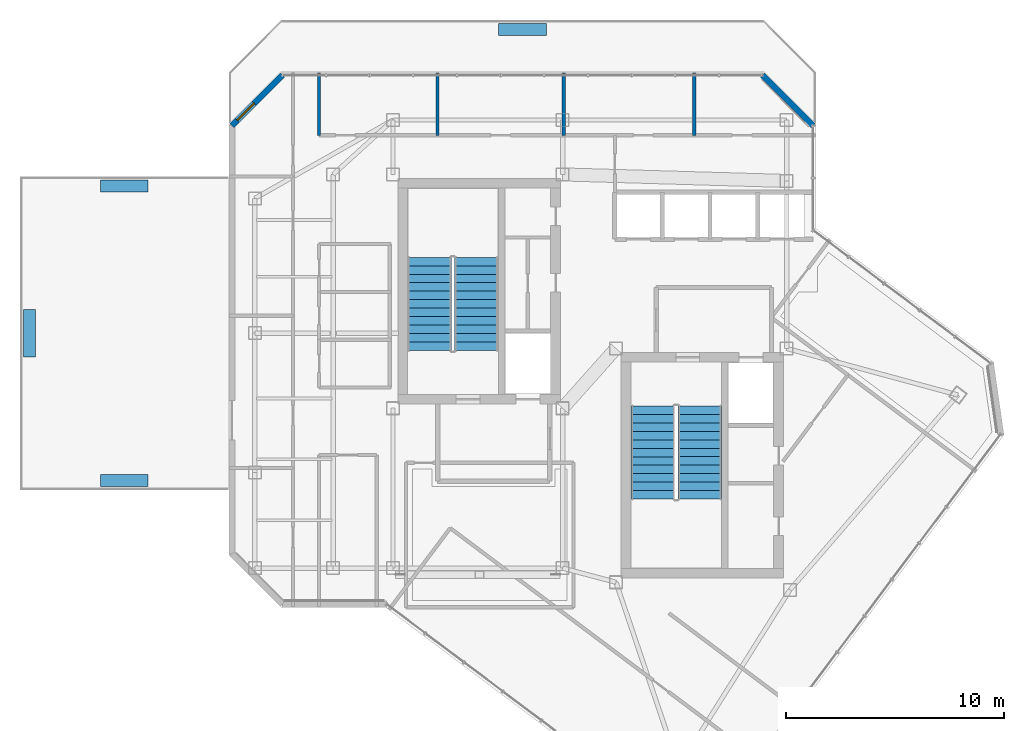
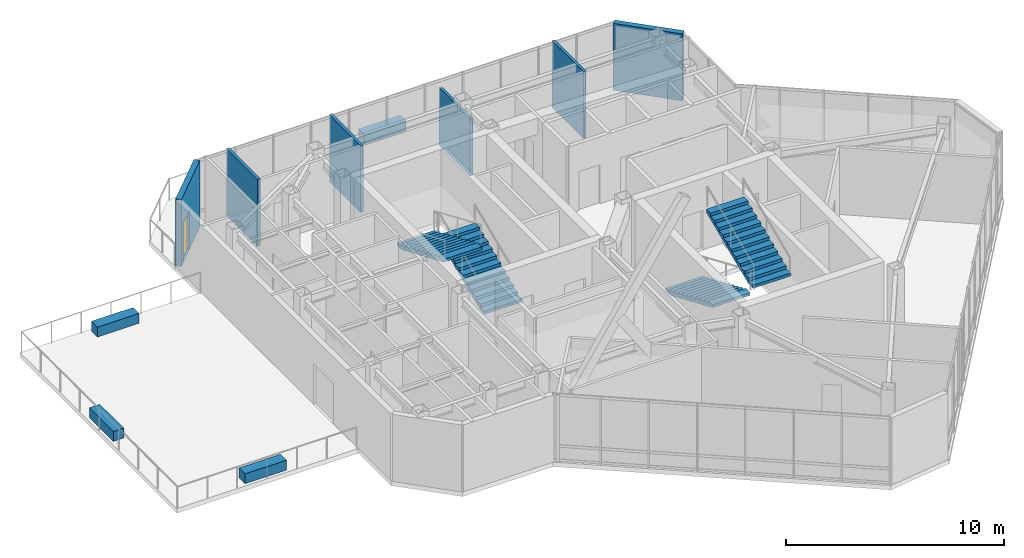
# One storey, part 18 of 21: 6 walls, 4 discrete accessories, 4 stair flights, 1 door, 1 opening, 2 elements without a shape of their own.
"""IFC4 building model written with IfcOpenShell, lengths in metres."""

from ifc_helpers import new_model, si_unit, direction, frame, frame_2d, origin, origin_2d, place, context, subcontext, project, spatial, polyline, rectangle, outline, extrude, material, layer, layer_set, type_object, element, fill, aggregate, save


model = new_model("IFC4")

# Units and contexts
model_context = context("Model", 3, precision=1e-05, world=origin(), true_north=direction((0.0, 1.0)))
body_context = subcontext(model_context, "Body", "Model", "MODEL_VIEW")
ifc_project = project(units=[si_unit("LENGTHUNIT", "METRE"), si_unit("AREAUNIT", "SQUARE_METRE"), si_unit("VOLUMEUNIT", "CUBIC_METRE"), si_unit("PLANEANGLEUNIT", "RADIAN"), si_unit("MASSUNIT", "GRAM", prefix="KILO")], contexts=[model_context])

# Site, building, storey
site_placement = place(None, origin())
site = spatial("IfcSite", under=ifc_project, at=site_placement, CompositionType="ELEMENT")
building_placement = place(site_placement, origin())
building = spatial("IfcBuilding", under=site, at=building_placement, Name="Hatsunagi Terrace Concourse", CompositionType="ELEMENT")
storey_placement = place(building_placement, frame((0.0, 0.0, 265.949951171875)))
storey = spatial("IfcBuildingStorey", under=building, at=storey_placement, Name="L70", CompositionType="ELEMENT", Elevation=265.949951171875)

# Walls
ifc_material_1 = material(Name="Acoustic mineral board", Category="gypsum")
ifc_layer_1 = layer(ifc_material_1, 0.14990234375)
ifc_layer_set_1 = layer_set([ifc_layer_1], Name="PartitionWall_EI60_150")
wall_type_1 = type_object("IfcWallType", Name="PartitionWall_EI60_150", PredefinedType="PARTITIONING", material=ifc_layer_set_1)
for number, where, z_axis, x_axis, name in (
    (1, (22.14990234375, 45.10009765625, 0.0), (0.0, 0.0, 1.0), (0.0, 1.0, 0.0), "Interior Partition IW-L70-031"),
    (2, (27.60009765625, 45.10009765625, 0.0), (0.0, 0.0, 1.0), (0.0, 1.0, 0.0), "Interior Partition IW-L70-032"),
):
    element("IfcWall", number, at=place(storey_placement, frame(where, z_axis=z_axis, x_axis=x_axis)), inside=storey, type_object=wall_type_1, Name=name, PredefinedType="PARTITIONING", context=body_context, shape_type="SweptSolid", body=[
        extrude(rectangle(XDim=2.85986328125, YDim=0.14990234375, at=frame_2d((1.429931640625, 0.0))), origin(), (0.0, 0.0, 1.0), 3.75),
    ])
wall_1_placement = place(storey_placement, frame((33.39990234375, 45.10009765625, 0.0), z_axis=(0.0, 0.0, 1.0), x_axis=(0.0, 1.0, 0.0)))
element("IfcWall", 3, at=wall_1_placement, inside=storey, type_object=wall_type_1, Name="Interior Partition IW-L70-034", PredefinedType="PARTITIONING", context=body_context, shape_type="SweptSolid", body=[
    extrude(rectangle(XDim=2.85986328125, YDim=0.14990234375, at=frame_2d((1.429931640625, 0.0))), origin(), (0.0, 0.0, 1.0), 3.2451171875),
])
wall_2_placement = place(storey_placement, frame((39.39990234375, 45.10009765625, 0.0), z_axis=(0.0, 0.0, 1.0), x_axis=(0.0, 1.0, 0.0)))
element("IfcWall", 4, at=wall_2_placement, inside=storey, type_object=wall_type_1, Name="Interior Partition IW-L70-036", PredefinedType="PARTITIONING", context=body_context, shape_type="SweptSolid", body=[
    extrude(rectangle(XDim=2.85986328125, YDim=0.14990234375, at=frame_2d((1.429931640625, 0.0))), origin(), (0.0, 0.0, 1.0), 3.75),
])

# Wall, opening, door
ifc_material_2 = material(Name="Autoclaved Lightweight Concrete and Terracotta Cladding", Category="masonry")
ifc_layer_2 = layer(ifc_material_2, 0.280029296875)
ifc_layer_set_2 = layer_set([ifc_layer_2], Name="TerracottaSpandrelWall_280")
wall_type_2 = type_object("IfcWallType", Name="TerracottaSpandrelWall_280", PredefinedType="STANDARD", material=ifc_layer_set_2)
wall_3_placement = place(storey_placement, frame((18.139892578125, 45.5419921875, 0.0), z_axis=(0.0, 0.0, 1.0), x_axis=(0.707106781187, 0.707106781187, 0.0)))
wall_3 = element("IfcWall", 5, at=wall_3_placement, inside=storey, type_object=wall_type_2, Name="Exterior Spandrel Wall EW-L70-09", PredefinedType="STANDARD", context=body_context, shape_type="SweptSolid", body=[
    extrude(rectangle(XDim=3.2783203125, YDim=0.280029296875, at=frame_2d((1.63916015625, 0.0))), origin(), (0.0, 0.0, 1.0), 3.75),
])
opening_placement = place(wall_3_placement, frame((0.35009765625, 0.0, 0.0)))
opening = element("IfcOpeningElement", 6, at=opening_placement, cuts=wall_3, Name="Opening BD-01", PredefinedType="OPENING", context=body_context, shape_type="SweptSolid", body=[
    extrude(rectangle(XDim=1.10009765625, YDim=2.199951171875, at=frame_2d((0.550048828125, 1.10009765625))), frame((0.0, 0.14990234375, 0.0), z_axis=(0.0, -1.0, 0.0), x_axis=(1.0, 0.0, 0.0)), (0.0, 0.0, 1.0), 0.300048828125),
])
ifc_material_3 = material(Name="Galvanised Steel and Laminated Safety Glass", Category="steel")
door_type = type_object("IfcDoorType", Name="BalconyTerraceAccessDoor_1100x2200", OperationType="SINGLE_SWING_LEFT", PredefinedType="DOOR", material=ifc_material_3)
door_placement = place(opening_placement, origin())
door = element("IfcDoor", 7, at=door_placement, inside=storey, type_object=door_type, Name="Sky Garden Terrace Door TER-L70-2", OperationType="SINGLE_SWING_LEFT", OverallHeight=2.199951171875, OverallWidth=1.10009765625, PredefinedType="DOOR", context=body_context, shape_type="SweptSolid", body=[
    extrude(rectangle(XDim=1.10009765625, YDim=2.199951171875, at=frame_2d((0.550048828125, 1.10009765625))), frame((0.0, 0.02490234375, 0.0), z_axis=(0.0, -1.0, 0.0), x_axis=(1.0, 0.0, 0.0)), (0.0, 0.0, 1.0), 0.050048828125),
])
fill(opening, door)

# Wall
wall_4_placement = place(storey_placement, frame((42.5419921875, 47.860107421875, 0.0), z_axis=(0.0, 0.0, 1.0), x_axis=(0.707106781187, -0.707106781187, 0.0)))
element("IfcWall", 8, at=wall_4_placement, inside=storey, type_object=wall_type_2, Name="Exterior Spandrel Wall EW-L70-11", PredefinedType="STANDARD", context=body_context, shape_type="SweptSolid", body=[
    extrude(rectangle(XDim=3.2783203125, YDim=0.280029296875, at=frame_2d((1.63916015625, 0.0))), origin(), (0.0, 0.0, 1.0), 3.75),
])

# Stair, stair flights
ifc_material_4 = material(Name="Concrete Fc42", Category="concrete")
stair_type = type_object("IfcStairType", Name="DoglegExitStair_Tower2000_24R_167", PredefinedType="HALF_TURN_STAIR", material=ifc_material_4)
stair_1_placement = place(storey_placement, origin())
stair_1 = element("IfcStair", 9, at=stair_1_placement, inside=storey, type_object=stair_type, Name="L70 Core A Protected Exit Stair ST-A", PredefinedType="HALF_TURN_STAIR")
ifc_material_5 = material(Name="Concrete Fc42", Category="concrete")
stair_flight_type = type_object("IfcStairFlightType", Name="DoglegStairFlight_Tower2000_24R_167", PredefinedType="STRAIGHT", material=ifc_material_5)
stair_flight_1_placement = place(storey_placement, frame((29.3798828125, 35.199951171875, 0.0), z_axis=(0.0, 0.0, 1.0), x_axis=(0.0, 1.0, 0.0)))
stair_flight_1 = element("IfcStairFlight", 10, at=stair_flight_1_placement, type_object=stair_flight_type, Name="ST-A flight 1", NumberOfRisers=12, NumberOfTreads=11, PredefinedType="STRAIGHT", RiserHeight=0.166666667, TreadLength=0.39, context=body_context, shape_type="SweptSolid", body=[
    extrude(outline(polyline([(0.0, 0.0), (0.0, 0.166748046875), (0.389892578125, 0.166748046875), (0.389892578125, 0.333251953125), (0.780029296875, 0.333251953125), (0.780029296875, 0.5), (1.169921875, 0.5), (1.169921875, 0.666748046875), (1.56005859375, 0.666748046875), (1.56005859375, 0.833251953125), (1.949951171875, 0.833251953125), (1.949951171875, 1.0), (2.340087890625, 1.0), (2.340087890625, 1.166748046875), (2.72998046875, 1.166748046875), (2.72998046875, 1.333251953125), (3.1201171875, 1.333251953125), (3.1201171875, 1.5), (3.510009765625, 1.5), (3.510009765625, 1.666748046875), (3.89990234375, 1.666748046875), (3.89990234375, 1.833251953125), (4.2900390625, 1.833251953125), (4.2900390625, 2.0), (4.2900390625, 1.67041015625), (0.38134765625, 0.0), (0.0, 0.0)])), frame((0.0, 1.0, 0.0), z_axis=(0.0, -1.0, 0.0), x_axis=(1.0, 0.0, 0.0)), (0.0, 0.0, 1.0), 2.0),
])
stair_flight_2_placement = place(storey_placement, frame((27.22998046875, 39.489990234375, 2.0), z_axis=(0.0, 0.0, 1.0), x_axis=(0.0, -1.0, 0.0)))
stair_flight_2 = element("IfcStairFlight", 11, at=stair_flight_2_placement, type_object=stair_flight_type, Name="ST-A flight 2", NumberOfRisers=12, NumberOfTreads=11, PredefinedType="STRAIGHT", RiserHeight=0.166666667, TreadLength=0.39, context=body_context, shape_type="SweptSolid", body=[
    extrude(outline(polyline([(0.0, 0.0), (0.0, 0.166748046875), (0.389892578125, 0.166748046875), (0.389892578125, 0.333251953125), (0.780029296875, 0.333251953125), (0.780029296875, 0.5), (1.169921875, 0.5), (1.169921875, 0.666748046875), (1.56005859375, 0.666748046875), (1.56005859375, 0.833251953125), (1.949951171875, 0.833251953125), (1.949951171875, 1.0), (2.340087890625, 1.0), (2.340087890625, 1.166748046875), (2.72998046875, 1.166748046875), (2.72998046875, 1.333251953125), (3.1201171875, 1.333251953125), (3.1201171875, 1.5), (3.510009765625, 1.5), (3.510009765625, 1.666748046875), (3.89990234375, 1.666748046875), (3.89990234375, 1.833251953125), (4.2900390625, 1.833251953125), (4.2900390625, 2.0), (4.2900390625, 1.67041015625), (0.38134765625, 0.0), (0.0, 0.0)])), frame((0.0, 1.0, 0.0), z_axis=(0.0, -1.0, 0.0), x_axis=(1.0, 0.0, 0.0)), (0.0, 0.0, 1.0), 2.0),
])
aggregate(stair_1, [stair_flight_1, stair_flight_2])

stair_2_placement = place(storey_placement, origin())
stair_2 = element("IfcStair", 12, at=stair_2_placement, inside=storey, type_object=stair_type, Name="L70 Core B Protected Exit Stair ST-B", PredefinedType="HALF_TURN_STAIR")
stair_flight_3_placement = place(storey_placement, frame((37.5, 32.659912109375, 0.0), z_axis=(0.0, 0.0, 1.0), x_axis=(0.0, -1.0, 0.0)))
stair_flight_3 = element("IfcStairFlight", 13, at=stair_flight_3_placement, type_object=stair_flight_type, Name="ST-B flight 1", NumberOfRisers=12, NumberOfTreads=11, PredefinedType="STRAIGHT", RiserHeight=0.166666667, TreadLength=0.39, context=body_context, shape_type="SweptSolid", body=[
    extrude(outline(polyline([(0.0, 0.0), (0.0, 0.166748046875), (0.389892578125, 0.166748046875), (0.389892578125, 0.333251953125), (0.780029296875, 0.333251953125), (0.780029296875, 0.5), (1.169921875, 0.5), (1.169921875, 0.666748046875), (1.56005859375, 0.666748046875), (1.56005859375, 0.833251953125), (1.949951171875, 0.833251953125), (1.949951171875, 1.0), (2.340087890625, 1.0), (2.340087890625, 1.166748046875), (2.72998046875, 1.166748046875), (2.72998046875, 1.333251953125), (3.1201171875, 1.333251953125), (3.1201171875, 1.5), (3.510009765625, 1.5), (3.510009765625, 1.666748046875), (3.89990234375, 1.666748046875), (3.89990234375, 1.833251953125), (4.2900390625, 1.833251953125), (4.2900390625, 2.0), (4.2900390625, 1.67041015625), (0.38134765625, 0.0), (0.0, 0.0)])), frame((0.0, 1.0, 0.0), z_axis=(0.0, -1.0, 0.0), x_axis=(1.0, 0.0, 0.0)), (0.0, 0.0, 1.0), 2.0),
])
stair_flight_4_placement = place(storey_placement, frame((39.64990234375, 28.3701171875, 2.0), z_axis=(0.0, 0.0, 1.0), x_axis=(0.0, 1.0, 0.0)))
stair_flight_4 = element("IfcStairFlight", 14, at=stair_flight_4_placement, type_object=stair_flight_type, Name="ST-B flight 2", NumberOfRisers=12, NumberOfTreads=11, PredefinedType="STRAIGHT", RiserHeight=0.166666667, TreadLength=0.39, context=body_context, shape_type="SweptSolid", body=[
    extrude(outline(polyline([(0.0, 0.0), (0.0, 0.166748046875), (0.389892578125, 0.166748046875), (0.389892578125, 0.333251953125), (0.780029296875, 0.333251953125), (0.780029296875, 0.5), (1.169921875, 0.5), (1.169921875, 0.666748046875), (1.56005859375, 0.666748046875), (1.56005859375, 0.833251953125), (1.949951171875, 0.833251953125), (1.949951171875, 1.0), (2.340087890625, 1.0), (2.340087890625, 1.166748046875), (2.72998046875, 1.166748046875), (2.72998046875, 1.333251953125), (3.1201171875, 1.333251953125), (3.1201171875, 1.5), (3.510009765625, 1.5), (3.510009765625, 1.666748046875), (3.89990234375, 1.666748046875), (3.89990234375, 1.833251953125), (4.2900390625, 1.833251953125), (4.2900390625, 2.0), (4.2900390625, 1.67041015625), (0.38134765625, 0.0), (0.0, 0.0)])), frame((0.0, 1.0, 0.0), z_axis=(0.0, -1.0, 0.0), x_axis=(1.0, 0.0, 0.0)), (0.0, 0.0, 1.0), 2.0),
])
aggregate(stair_2, [stair_flight_3, stair_flight_4])

# Discrete accessories
ifc_material_6 = material(Name="Architectural Precast Terracotta Planter", Category="masonry")
discrete_accessory_type = type_object("IfcDiscreteAccessoryType", Name="SkyGardenPlanterEdge_450", PredefinedType="USERDEFINED", material=ifc_material_6)
for number, where, z_axis, x_axis, name in (
    (15, (8.830078125, 36.0, 0.01025390625), (0.0, 0.0, 1.0), (0.0, 1.0, 0.0), "Sky Garden Terrace Planter TER-L70-1-1"),
    (16, (13.194091796875, 42.77001953125, 0.01025390625), (0.0, 0.0, 1.0), (1.0, 0.0, 0.0), "Sky Garden Terrace Planter TER-L70-1-2"),
    (17, (13.194091796875, 29.22998046875, 0.01025390625), (0.0, 0.0, 1.0), (-1.0, 0.0, 0.0), "Sky Garden Terrace Planter TER-L70-1-4"),
    (18, (31.5, 49.969970703125, 0.01025390625), (0.0, 0.0, 1.0), (1.0, 0.0, 0.0), "Sky Garden Terrace Planter TER-L70-2-2"),
):
    element("IfcDiscreteAccessory", number, at=place(storey_placement, frame(where, z_axis=z_axis, x_axis=x_axis)), inside=storey, type_object=discrete_accessory_type, Name=name, ObjectType="PLANTER", PredefinedType="USERDEFINED", context=body_context, shape_type="SweptSolid", body=[
        extrude(rectangle(XDim=2.199951171875, YDim=0.550048828125, at=origin_2d()), origin(), (0.0, 0.0, 1.0), 0.550048828125),
    ])

save(model, "model.ifc")
